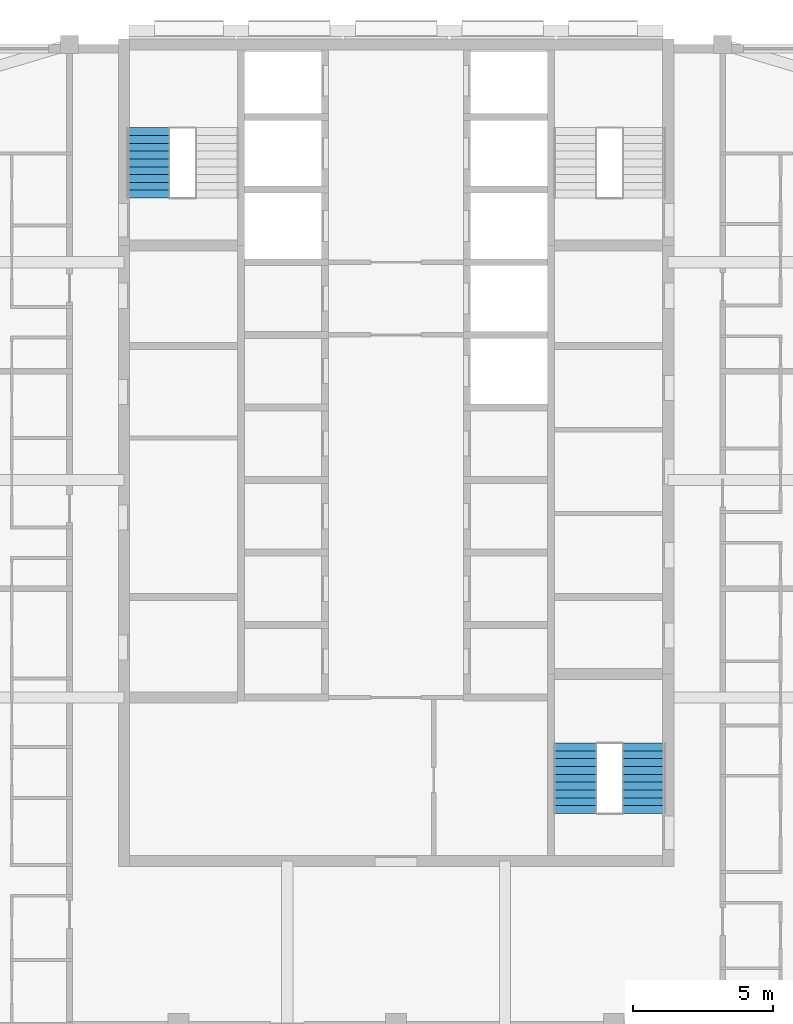
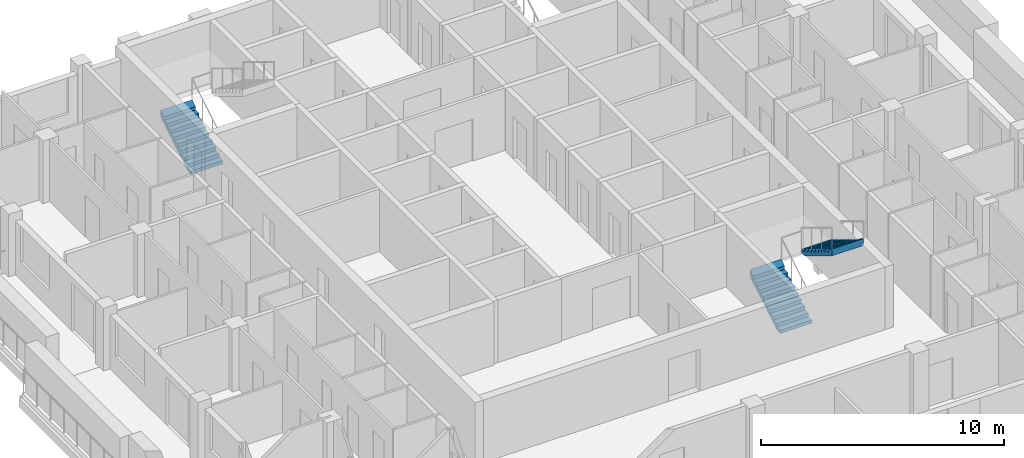
# One storey, part 10 of 13: 3 stair flights, 2 elements without a shape of their own.
"""IFC4 building model written with IfcOpenShell, lengths in metres."""

from ifc_helpers import new_model, si_unit, direction, frame, origin, place, context, subcontext, project, spatial, triangles, material, type_object, element, aggregate, save


model = new_model("IFC4")

# Units and contexts
model_context = context("Model", 3, precision=1e-05, world=origin(), true_north=direction((0.0, 1.0)))
body_context = subcontext(model_context, "Body", "Model", "MODEL_VIEW")
ifc_project = project(units=[si_unit("LENGTHUNIT", "METRE"), si_unit("AREAUNIT", "SQUARE_METRE"), si_unit("VOLUMEUNIT", "CUBIC_METRE"), si_unit("PLANEANGLEUNIT", "RADIAN"), si_unit("MASSUNIT", "GRAM", prefix="KILO")], contexts=[model_context])

# Site, building, storey
site_placement = place(None, origin())
site = spatial("IfcSite", under=ifc_project, at=site_placement, CompositionType="ELEMENT")
building_placement = place(site_placement, origin())
building = spatial("IfcBuilding", under=site, at=building_placement, Name="Ludao Terraces", CompositionType="ELEMENT")
storey_placement = place(building_placement, frame((0.0, 0.0, 249.39990234375)))
storey = spatial("IfcBuildingStorey", under=building, at=storey_placement, Name="L68", CompositionType="ELEMENT", Elevation=249.39990234375)

# Stair, stair flight
ifc_material = material(Name="Concrete C40", Category="concrete")
stair_type = type_object("IfcStairType", Name="INT Stair", PredefinedType="HALF_TURN_STAIR", material=ifc_material)
stair_1_placement = place(storey_placement, origin())
stair_1 = element("IfcStair", 1, at=stair_1_placement, inside=storey, type_object=stair_type, Name="EXIT STAIR 1", PredefinedType="HALF_TURN_STAIR")
stair_flight_type = type_object("IfcStairFlightType", Name="INT Stair flight", PredefinedType="STRAIGHT", material=ifc_material)
stair_flight_1_placement = place(storey_placement, frame((76.125, 79.0, 0.0), z_axis=(0.0, 0.0, 1.0), x_axis=(0.0, 1.0, 0.0)))
stair_flight_1 = element("IfcStairFlight", 2, at=stair_flight_1_placement, type_object=stair_flight_type, Name="ST1 flight 1", NumberOfRisers=10, NumberOfTreads=9, PredefinedType="STRAIGHT", RiserHeight=0.17, TreadLength=0.28, context=body_context, shape_type="Tessellation", body=[
    triangles([(0.0, -0.75, 0.0), (0.0, -0.5, 0.0), (0.0, -0.25, 0.0), (0.0, 0.0, 0.0), (0.0, 0.25, 0.0), (0.0, 0.5, 0.0), (0.0, 0.75, 0.0), (0.0, -0.75, 0.169921875), (0.0, -0.5, 0.169921875), (0.0, -0.25, 0.169921875), (0.0, 0.0, 0.169921875), (0.0, 0.25, 0.169921875), (0.0, 0.5, 0.169921875), (0.0, 0.75, 0.169921875), (0.280029296875, -0.75, 0.169921875), (0.280029296875, -0.5, 0.169921875), (0.280029296875, -0.25, 0.169921875), (0.280029296875, 0.0, 0.169921875), (0.280029296875, 0.25, 0.169921875), (0.280029296875, 0.5, 0.169921875), (0.280029296875, 0.75, 0.169921875), (0.280029296875, -0.75, 0.340087890625), (0.280029296875, -0.5, 0.340087890625), (0.280029296875, -0.25, 0.340087890625), (0.280029296875, 0.0, 0.340087890625), (0.280029296875, 0.25, 0.340087890625), (0.280029296875, 0.5, 0.340087890625), (0.280029296875, 0.75, 0.340087890625), (0.56005859375, -0.75, 0.340087890625), (0.56005859375, -0.5, 0.340087890625), (0.56005859375, -0.25, 0.340087890625), (0.56005859375, 0.0, 0.340087890625), (0.56005859375, 0.25, 0.340087890625), (0.56005859375, 0.5, 0.340087890625), (0.56005859375, 0.75, 0.340087890625), (0.56005859375, -0.75, 0.510009765625), (0.56005859375, -0.5, 0.510009765625), (0.56005859375, -0.25, 0.510009765625), (0.56005859375, 0.0, 0.510009765625), (0.56005859375, 0.25, 0.510009765625), (0.56005859375, 0.5, 0.510009765625), (0.56005859375, 0.75, 0.510009765625), (0.840087890625, -0.75, 0.510009765625), (0.840087890625, -0.5, 0.510009765625), (0.840087890625, -0.25, 0.510009765625), (0.840087890625, 0.0, 0.510009765625), (0.840087890625, 0.25, 0.510009765625), (0.840087890625, 0.5, 0.510009765625), (0.840087890625, 0.75, 0.510009765625), (0.840087890625, -0.75, 0.679931640625), (0.840087890625, -0.5, 0.679931640625), (0.840087890625, -0.25, 0.679931640625), (0.840087890625, 0.0, 0.679931640625), (0.840087890625, 0.25, 0.679931640625), (0.840087890625, 0.5, 0.679931640625), (0.840087890625, 0.75, 0.679931640625), (1.1201171875, -0.75, 0.679931640625), (1.1201171875, -0.5, 0.679931640625), (1.1201171875, -0.25, 0.679931640625), (1.1201171875, 0.0, 0.679931640625), (1.1201171875, 0.25, 0.679931640625), (1.1201171875, 0.5, 0.679931640625), (1.1201171875, 0.75, 0.679931640625), (1.1201171875, -0.75, 0.85009765625), (1.1201171875, -0.5, 0.85009765625), (1.1201171875, -0.25, 0.85009765625), (1.1201171875, 0.0, 0.85009765625), (1.1201171875, 0.25, 0.85009765625), (1.1201171875, 0.5, 0.85009765625), (1.1201171875, 0.75, 0.85009765625), (1.39990234375, -0.75, 0.85009765625), (1.39990234375, -0.5, 0.85009765625), (1.39990234375, -0.25, 0.85009765625), (1.39990234375, 0.0, 0.85009765625), (1.39990234375, 0.25, 0.85009765625), (1.39990234375, 0.5, 0.85009765625), (1.39990234375, 0.75, 0.85009765625), (1.39990234375, -0.75, 1.02001953125), (1.39990234375, -0.5, 1.02001953125), (1.39990234375, -0.25, 1.02001953125), (1.39990234375, 0.0, 1.02001953125), (1.39990234375, 0.25, 1.02001953125), (1.39990234375, 0.5, 1.02001953125), (1.39990234375, 0.75, 1.02001953125), (1.679931640625, -0.75, 1.02001953125), (1.679931640625, -0.5, 1.02001953125), (1.679931640625, -0.25, 1.02001953125), (1.679931640625, 0.0, 1.02001953125), (1.679931640625, 0.25, 1.02001953125), (1.679931640625, 0.5, 1.02001953125), (1.679931640625, 0.75, 1.02001953125), (1.679931640625, -0.75, 1.18994140625), (1.679931640625, -0.5, 1.18994140625), (1.679931640625, -0.25, 1.18994140625), (1.679931640625, 0.0, 1.18994140625), (1.679931640625, 0.25, 1.18994140625), (1.679931640625, 0.5, 1.18994140625), (1.679931640625, 0.75, 1.18994140625), (1.9599609375, -0.75, 1.18994140625), (1.9599609375, -0.5, 1.18994140625), (1.9599609375, -0.25, 1.18994140625), (1.9599609375, 0.0, 1.18994140625), (1.9599609375, 0.25, 1.18994140625), (1.9599609375, 0.5, 1.18994140625), (1.9599609375, 0.75, 1.18994140625), (1.9599609375, -0.75, 1.360107421875), (1.9599609375, -0.5, 1.360107421875), (1.9599609375, -0.25, 1.360107421875), (1.9599609375, 0.0, 1.360107421875), (1.9599609375, 0.25, 1.360107421875), (1.9599609375, 0.5, 1.360107421875), (1.9599609375, 0.75, 1.360107421875), (2.239990234375, -0.75, 1.360107421875), (2.239990234375, -0.5, 1.360107421875), (2.239990234375, -0.25, 1.360107421875), (2.239990234375, 0.0, 1.360107421875), (2.239990234375, 0.25, 1.360107421875), (2.239990234375, 0.5, 1.360107421875), (2.239990234375, 0.75, 1.360107421875), (2.239990234375, -0.75, 1.530029296875), (2.239990234375, -0.5, 1.530029296875), (2.239990234375, -0.25, 1.530029296875), (2.239990234375, 0.0, 1.530029296875), (2.239990234375, 0.25, 1.530029296875), (2.239990234375, 0.5, 1.530029296875), (2.239990234375, 0.75, 1.530029296875), (2.52001953125, -0.75, 1.699951171875), (2.52001953125, -0.5, 1.699951171875), (2.52001953125, -0.25, 1.699951171875), (2.52001953125, 0.0, 1.699951171875), (2.52001953125, 0.25, 1.699951171875), (2.52001953125, 0.5, 1.699951171875), (2.52001953125, 0.75, 1.699951171875), (2.52001953125, -0.75, 1.354736328125), (2.52001953125, -0.5, 1.354736328125), (2.52001953125, -0.25, 1.354736328125), (2.52001953125, 0.0, 1.354736328125), (2.52001953125, 0.25, 1.354736328125), (2.52001953125, 0.5, 1.354736328125), (2.52001953125, 0.75, 1.354736328125), (0.288818359375, -0.75, 0.0), (0.288818359375, -0.5, 0.0), (0.288818359375, -0.25, 0.0), (0.288818359375, 0.0, 0.0), (0.288818359375, 0.25, 0.0), (0.288818359375, 0.5, 0.0), (0.288818359375, 0.75, 0.0)], [[1, 141, 134], [7, 140, 147], [134, 127, 120], [140, 126, 133], [134, 120, 113], [140, 119, 126], [134, 113, 106], [140, 112, 119], [134, 106, 99], [140, 105, 112], [99, 92, 85], [105, 91, 98], [134, 99, 85], [140, 91, 105], [85, 78, 71], [91, 77, 84], [134, 85, 71], [140, 77, 91], [71, 64, 57], [77, 63, 70], [134, 71, 57], [140, 63, 77], [57, 50, 43], [63, 49, 56], [134, 57, 43], [140, 49, 63], [43, 36, 29], [49, 35, 42], [134, 43, 29], [140, 35, 49], [29, 22, 15], [35, 21, 28], [134, 29, 15], [140, 21, 35], [1, 134, 15], [7, 21, 140], [15, 8, 1], [21, 7, 14], [1, 9, 2], [1, 8, 9], [2, 10, 3], [2, 9, 10], [3, 11, 4], [3, 10, 11], [4, 12, 5], [4, 11, 12], [5, 13, 6], [5, 12, 13], [6, 14, 7], [6, 13, 14], [8, 16, 9], [8, 15, 16], [9, 17, 10], [9, 16, 17], [10, 18, 11], [10, 17, 18], [11, 19, 12], [11, 18, 19], [12, 20, 13], [12, 19, 20], [13, 21, 14], [13, 20, 21], [15, 23, 16], [15, 22, 23], [16, 24, 17], [16, 23, 24], [17, 25, 18], [17, 24, 25], [18, 26, 19], [18, 25, 26], [19, 27, 20], [19, 26, 27], [20, 28, 21], [20, 27, 28], [22, 30, 23], [22, 29, 30], [23, 31, 24], [23, 30, 31], [24, 32, 25], [24, 31, 32], [25, 33, 26], [25, 32, 33], [26, 34, 27], [26, 33, 34], [27, 35, 28], [27, 34, 35], [29, 37, 30], [29, 36, 37], [30, 38, 31], [30, 37, 38], [31, 39, 32], [31, 38, 39], [32, 40, 33], [32, 39, 40], [33, 41, 34], [33, 40, 41], [34, 42, 35], [34, 41, 42], [36, 44, 37], [36, 43, 44], [37, 45, 38], [37, 44, 45], [38, 46, 39], [38, 45, 46], [39, 47, 40], [39, 46, 47], [40, 48, 41], [40, 47, 48], [41, 49, 42], [41, 48, 49], [43, 51, 44], [43, 50, 51], [44, 52, 45], [44, 51, 52], [45, 53, 46], [45, 52, 53], [46, 54, 47], [46, 53, 54], [47, 55, 48], [47, 54, 55], [48, 56, 49], [48, 55, 56], [50, 58, 51], [50, 57, 58], [51, 59, 52], [51, 58, 59], [52, 60, 53], [52, 59, 60], [53, 61, 54], [53, 60, 61], [54, 62, 55], [54, 61, 62], [55, 63, 56], [55, 62, 63], [57, 65, 58], [57, 64, 65], [58, 66, 59], [58, 65, 66], [59, 67, 60], [59, 66, 67], [60, 68, 61], [60, 67, 68], [61, 69, 62], [61, 68, 69], [62, 70, 63], [62, 69, 70], [64, 72, 65], [64, 71, 72], [65, 73, 66], [65, 72, 73], [66, 74, 67], [66, 73, 74], [67, 75, 68], [67, 74, 75], [68, 76, 69], [68, 75, 76], [69, 77, 70], [69, 76, 77], [71, 79, 72], [71, 78, 79], [72, 80, 73], [72, 79, 80], [73, 81, 74], [73, 80, 81], [74, 82, 75], [74, 81, 82], [75, 83, 76], [75, 82, 83], [76, 84, 77], [76, 83, 84], [78, 86, 79], [78, 85, 86], [79, 87, 80], [79, 86, 87], [80, 88, 81], [80, 87, 88], [81, 89, 82], [81, 88, 89], [82, 90, 83], [82, 89, 90], [83, 91, 84], [83, 90, 91], [85, 93, 86], [85, 92, 93], [86, 94, 87], [86, 93, 94], [87, 95, 88], [87, 94, 95], [88, 96, 89], [88, 95, 96], [89, 97, 90], [89, 96, 97], [90, 98, 91], [90, 97, 98], [92, 100, 93], [92, 99, 100], [93, 101, 94], [93, 100, 101], [94, 102, 95], [94, 101, 102], [95, 103, 96], [95, 102, 103], [96, 104, 97], [96, 103, 104], [97, 105, 98], [97, 104, 105], [99, 107, 100], [99, 106, 107], [100, 108, 101], [100, 107, 108], [101, 109, 102], [101, 108, 109], [102, 110, 103], [102, 109, 110], [103, 111, 104], [103, 110, 111], [104, 112, 105], [104, 111, 112], [106, 114, 107], [106, 113, 114], [107, 115, 108], [107, 114, 115], [108, 116, 109], [108, 115, 116], [109, 117, 110], [109, 116, 117], [110, 118, 111], [110, 117, 118], [111, 119, 112], [111, 118, 119], [113, 121, 114], [113, 120, 121], [114, 122, 115], [114, 121, 122], [115, 123, 116], [115, 122, 123], [116, 124, 117], [116, 123, 124], [117, 125, 118], [117, 124, 125], [118, 126, 119], [118, 125, 126], [120, 128, 121], [120, 127, 128], [121, 129, 122], [121, 128, 129], [122, 130, 123], [122, 129, 130], [123, 131, 124], [123, 130, 131], [124, 132, 125], [124, 131, 132], [125, 133, 126], [125, 132, 133], [127, 135, 128], [127, 134, 135], [128, 136, 129], [128, 135, 136], [129, 137, 130], [129, 136, 137], [130, 138, 131], [130, 137, 138], [131, 139, 132], [131, 138, 139], [132, 140, 133], [132, 139, 140], [134, 142, 135], [134, 141, 142], [135, 143, 136], [135, 142, 143], [136, 144, 137], [136, 143, 144], [137, 145, 138], [137, 144, 145], [138, 146, 139], [138, 145, 146], [139, 147, 140], [139, 146, 147], [141, 2, 142], [141, 1, 2], [142, 3, 143], [142, 2, 3], [143, 4, 144], [143, 3, 4], [144, 5, 145], [144, 4, 5], [145, 6, 146], [145, 5, 6], [146, 7, 147], [146, 6, 7]], closed=True),
])
aggregate(stair_1, [stair_flight_1])

# Stair, stair flights
stair_2_placement = place(storey_placement, origin())
stair_2 = element("IfcStair", 3, at=stair_2_placement, inside=storey, type_object=stair_type, Name="EXIT STAIR 3", PredefinedType="HALF_TURN_STAIR")
stair_flight_2_placement = place(storey_placement, frame((91.425048828125, 56.949951171875, 0.0), z_axis=(0.0, 0.0, 1.0), x_axis=(0.0, 1.0, 0.0)))
stair_flight_2 = element("IfcStairFlight", 4, at=stair_flight_2_placement, type_object=stair_flight_type, Name="ST3 flight 1", NumberOfRisers=10, NumberOfTreads=9, PredefinedType="STRAIGHT", RiserHeight=0.17, TreadLength=0.28, context=body_context, shape_type="Tessellation", body=[
    triangles([(0.0, -0.75, 0.0), (0.0, -0.5, 0.0), (0.0, -0.25, 0.0), (0.0, 0.0, 0.0), (0.0, 0.25, 0.0), (0.0, 0.5, 0.0), (0.0, 0.75, 0.0), (0.0, -0.75, 0.169921875), (0.0, -0.5, 0.169921875), (0.0, -0.25, 0.169921875), (0.0, 0.0, 0.169921875), (0.0, 0.25, 0.169921875), (0.0, 0.5, 0.169921875), (0.0, 0.75, 0.169921875), (0.280029296875, -0.75, 0.169921875), (0.280029296875, -0.5, 0.169921875), (0.280029296875, -0.25, 0.169921875), (0.280029296875, 0.0, 0.169921875), (0.280029296875, 0.25, 0.169921875), (0.280029296875, 0.5, 0.169921875), (0.280029296875, 0.75, 0.169921875), (0.280029296875, -0.75, 0.340087890625), (0.280029296875, -0.5, 0.340087890625), (0.280029296875, -0.25, 0.340087890625), (0.280029296875, 0.0, 0.340087890625), (0.280029296875, 0.25, 0.340087890625), (0.280029296875, 0.5, 0.340087890625), (0.280029296875, 0.75, 0.340087890625), (0.56005859375, -0.75, 0.340087890625), (0.56005859375, -0.5, 0.340087890625), (0.56005859375, -0.25, 0.340087890625), (0.56005859375, 0.0, 0.340087890625), (0.56005859375, 0.25, 0.340087890625), (0.56005859375, 0.5, 0.340087890625), (0.56005859375, 0.75, 0.340087890625), (0.56005859375, -0.75, 0.510009765625), (0.56005859375, -0.5, 0.510009765625), (0.56005859375, -0.25, 0.510009765625), (0.56005859375, 0.0, 0.510009765625), (0.56005859375, 0.25, 0.510009765625), (0.56005859375, 0.5, 0.510009765625), (0.56005859375, 0.75, 0.510009765625), (0.840087890625, -0.75, 0.510009765625), (0.840087890625, -0.5, 0.510009765625), (0.840087890625, -0.25, 0.510009765625), (0.840087890625, 0.0, 0.510009765625), (0.840087890625, 0.25, 0.510009765625), (0.840087890625, 0.5, 0.510009765625), (0.840087890625, 0.75, 0.510009765625), (0.840087890625, -0.75, 0.679931640625), (0.840087890625, -0.5, 0.679931640625), (0.840087890625, -0.25, 0.679931640625), (0.840087890625, 0.0, 0.679931640625), (0.840087890625, 0.25, 0.679931640625), (0.840087890625, 0.5, 0.679931640625), (0.840087890625, 0.75, 0.679931640625), (1.1201171875, -0.75, 0.679931640625), (1.1201171875, -0.5, 0.679931640625), (1.1201171875, -0.25, 0.679931640625), (1.1201171875, 0.0, 0.679931640625), (1.1201171875, 0.25, 0.679931640625), (1.1201171875, 0.5, 0.679931640625), (1.1201171875, 0.75, 0.679931640625), (1.1201171875, -0.75, 0.85009765625), (1.1201171875, -0.5, 0.85009765625), (1.1201171875, -0.25, 0.85009765625), (1.1201171875, 0.0, 0.85009765625), (1.1201171875, 0.25, 0.85009765625), (1.1201171875, 0.5, 0.85009765625), (1.1201171875, 0.75, 0.85009765625), (1.39990234375, -0.75, 0.85009765625), (1.39990234375, -0.5, 0.85009765625), (1.39990234375, -0.25, 0.85009765625), (1.39990234375, 0.0, 0.85009765625), (1.39990234375, 0.25, 0.85009765625), (1.39990234375, 0.5, 0.85009765625), (1.39990234375, 0.75, 0.85009765625), (1.39990234375, -0.75, 1.02001953125), (1.39990234375, -0.5, 1.02001953125), (1.39990234375, -0.25, 1.02001953125), (1.39990234375, 0.0, 1.02001953125), (1.39990234375, 0.25, 1.02001953125), (1.39990234375, 0.5, 1.02001953125), (1.39990234375, 0.75, 1.02001953125), (1.679931640625, -0.75, 1.02001953125), (1.679931640625, -0.5, 1.02001953125), (1.679931640625, -0.25, 1.02001953125), (1.679931640625, 0.0, 1.02001953125), (1.679931640625, 0.25, 1.02001953125), (1.679931640625, 0.5, 1.02001953125), (1.679931640625, 0.75, 1.02001953125), (1.679931640625, -0.75, 1.18994140625), (1.679931640625, -0.5, 1.18994140625), (1.679931640625, -0.25, 1.18994140625), (1.679931640625, 0.0, 1.18994140625), (1.679931640625, 0.25, 1.18994140625), (1.679931640625, 0.5, 1.18994140625), (1.679931640625, 0.75, 1.18994140625), (1.9599609375, -0.75, 1.18994140625), (1.9599609375, -0.5, 1.18994140625), (1.9599609375, -0.25, 1.18994140625), (1.9599609375, 0.0, 1.18994140625), (1.9599609375, 0.25, 1.18994140625), (1.9599609375, 0.5, 1.18994140625), (1.9599609375, 0.75, 1.18994140625), (1.9599609375, -0.75, 1.360107421875), (1.9599609375, -0.5, 1.360107421875), (1.9599609375, -0.25, 1.360107421875), (1.9599609375, 0.0, 1.360107421875), (1.9599609375, 0.25, 1.360107421875), (1.9599609375, 0.5, 1.360107421875), (1.9599609375, 0.75, 1.360107421875), (2.239990234375, -0.75, 1.360107421875), (2.239990234375, -0.5, 1.360107421875), (2.239990234375, -0.25, 1.360107421875), (2.239990234375, 0.0, 1.360107421875), (2.239990234375, 0.25, 1.360107421875), (2.239990234375, 0.5, 1.360107421875), (2.239990234375, 0.75, 1.360107421875), (2.239990234375, -0.75, 1.530029296875), (2.239990234375, -0.5, 1.530029296875), (2.239990234375, -0.25, 1.530029296875), (2.239990234375, 0.0, 1.530029296875), (2.239990234375, 0.25, 1.530029296875), (2.239990234375, 0.5, 1.530029296875), (2.239990234375, 0.75, 1.530029296875), (2.52001953125, -0.75, 1.699951171875), (2.52001953125, -0.5, 1.699951171875), (2.52001953125, -0.25, 1.699951171875), (2.52001953125, 0.0, 1.699951171875), (2.52001953125, 0.25, 1.699951171875), (2.52001953125, 0.5, 1.699951171875), (2.52001953125, 0.75, 1.699951171875), (2.52001953125, -0.75, 1.354736328125), (2.52001953125, -0.5, 1.354736328125), (2.52001953125, -0.25, 1.354736328125), (2.52001953125, 0.0, 1.354736328125), (2.52001953125, 0.25, 1.354736328125), (2.52001953125, 0.5, 1.354736328125), (2.52001953125, 0.75, 1.354736328125), (0.288818359375, -0.75, 0.0), (0.288818359375, -0.5, 0.0), (0.288818359375, -0.25, 0.0), (0.288818359375, 0.0, 0.0), (0.288818359375, 0.25, 0.0), (0.288818359375, 0.5, 0.0), (0.288818359375, 0.75, 0.0)], [[1, 141, 134], [7, 140, 147], [134, 127, 120], [140, 126, 133], [134, 120, 113], [140, 119, 126], [134, 113, 106], [140, 112, 119], [134, 106, 99], [140, 105, 112], [99, 92, 85], [105, 91, 98], [134, 99, 85], [140, 91, 105], [85, 78, 71], [91, 77, 84], [134, 85, 71], [140, 77, 91], [71, 64, 57], [77, 63, 70], [134, 71, 57], [140, 63, 77], [57, 50, 43], [63, 49, 56], [134, 57, 43], [140, 49, 63], [43, 36, 29], [49, 35, 42], [134, 43, 29], [140, 35, 49], [29, 22, 15], [35, 21, 28], [134, 29, 15], [140, 21, 35], [1, 134, 15], [7, 21, 140], [15, 8, 1], [21, 7, 14], [1, 9, 2], [1, 8, 9], [2, 10, 3], [2, 9, 10], [3, 11, 4], [3, 10, 11], [4, 12, 5], [4, 11, 12], [5, 13, 6], [5, 12, 13], [6, 14, 7], [6, 13, 14], [8, 16, 9], [8, 15, 16], [9, 17, 10], [9, 16, 17], [10, 18, 11], [10, 17, 18], [11, 19, 12], [11, 18, 19], [12, 20, 13], [12, 19, 20], [13, 21, 14], [13, 20, 21], [15, 23, 16], [15, 22, 23], [16, 24, 17], [16, 23, 24], [17, 25, 18], [17, 24, 25], [18, 26, 19], [18, 25, 26], [19, 27, 20], [19, 26, 27], [20, 28, 21], [20, 27, 28], [22, 30, 23], [22, 29, 30], [23, 31, 24], [23, 30, 31], [24, 32, 25], [24, 31, 32], [25, 33, 26], [25, 32, 33], [26, 34, 27], [26, 33, 34], [27, 35, 28], [27, 34, 35], [29, 37, 30], [29, 36, 37], [30, 38, 31], [30, 37, 38], [31, 39, 32], [31, 38, 39], [32, 40, 33], [32, 39, 40], [33, 41, 34], [33, 40, 41], [34, 42, 35], [34, 41, 42], [36, 44, 37], [36, 43, 44], [37, 45, 38], [37, 44, 45], [38, 46, 39], [38, 45, 46], [39, 47, 40], [39, 46, 47], [40, 48, 41], [40, 47, 48], [41, 49, 42], [41, 48, 49], [43, 51, 44], [43, 50, 51], [44, 52, 45], [44, 51, 52], [45, 53, 46], [45, 52, 53], [46, 54, 47], [46, 53, 54], [47, 55, 48], [47, 54, 55], [48, 56, 49], [48, 55, 56], [50, 58, 51], [50, 57, 58], [51, 59, 52], [51, 58, 59], [52, 60, 53], [52, 59, 60], [53, 61, 54], [53, 60, 61], [54, 62, 55], [54, 61, 62], [55, 63, 56], [55, 62, 63], [57, 65, 58], [57, 64, 65], [58, 66, 59], [58, 65, 66], [59, 67, 60], [59, 66, 67], [60, 68, 61], [60, 67, 68], [61, 69, 62], [61, 68, 69], [62, 70, 63], [62, 69, 70], [64, 72, 65], [64, 71, 72], [65, 73, 66], [65, 72, 73], [66, 74, 67], [66, 73, 74], [67, 75, 68], [67, 74, 75], [68, 76, 69], [68, 75, 76], [69, 77, 70], [69, 76, 77], [71, 79, 72], [71, 78, 79], [72, 80, 73], [72, 79, 80], [73, 81, 74], [73, 80, 81], [74, 82, 75], [74, 81, 82], [75, 83, 76], [75, 82, 83], [76, 84, 77], [76, 83, 84], [78, 86, 79], [78, 85, 86], [79, 87, 80], [79, 86, 87], [80, 88, 81], [80, 87, 88], [81, 89, 82], [81, 88, 89], [82, 90, 83], [82, 89, 90], [83, 91, 84], [83, 90, 91], [85, 93, 86], [85, 92, 93], [86, 94, 87], [86, 93, 94], [87, 95, 88], [87, 94, 95], [88, 96, 89], [88, 95, 96], [89, 97, 90], [89, 96, 97], [90, 98, 91], [90, 97, 98], [92, 100, 93], [92, 99, 100], [93, 101, 94], [93, 100, 101], [94, 102, 95], [94, 101, 102], [95, 103, 96], [95, 102, 103], [96, 104, 97], [96, 103, 104], [97, 105, 98], [97, 104, 105], [99, 107, 100], [99, 106, 107], [100, 108, 101], [100, 107, 108], [101, 109, 102], [101, 108, 109], [102, 110, 103], [102, 109, 110], [103, 111, 104], [103, 110, 111], [104, 112, 105], [104, 111, 112], [106, 114, 107], [106, 113, 114], [107, 115, 108], [107, 114, 115], [108, 116, 109], [108, 115, 116], [109, 117, 110], [109, 116, 117], [110, 118, 111], [110, 117, 118], [111, 119, 112], [111, 118, 119], [113, 121, 114], [113, 120, 121], [114, 122, 115], [114, 121, 122], [115, 123, 116], [115, 122, 123], [116, 124, 117], [116, 123, 124], [117, 125, 118], [117, 124, 125], [118, 126, 119], [118, 125, 126], [120, 128, 121], [120, 127, 128], [121, 129, 122], [121, 128, 129], [122, 130, 123], [122, 129, 130], [123, 131, 124], [123, 130, 131], [124, 132, 125], [124, 131, 132], [125, 133, 126], [125, 132, 133], [127, 135, 128], [127, 134, 135], [128, 136, 129], [128, 135, 136], [129, 137, 130], [129, 136, 137], [130, 138, 131], [130, 137, 138], [131, 139, 132], [131, 138, 139], [132, 140, 133], [132, 139, 140], [134, 142, 135], [134, 141, 142], [135, 143, 136], [135, 142, 143], [136, 144, 137], [136, 143, 144], [137, 145, 138], [137, 144, 145], [138, 146, 139], [138, 145, 146], [139, 147, 140], [139, 146, 147], [141, 2, 142], [141, 1, 2], [142, 3, 143], [142, 2, 3], [143, 4, 144], [143, 3, 4], [144, 5, 145], [144, 4, 5], [145, 6, 146], [145, 5, 6], [146, 7, 147], [146, 6, 7]], closed=True),
])
stair_flight_3_placement = place(storey_placement, frame((93.875, 59.469970703125, 1.7001953125), z_axis=(0.0, 0.0, 1.0), x_axis=(0.0, -1.0, 0.0)))
stair_flight_3 = element("IfcStairFlight", 5, at=stair_flight_3_placement, type_object=stair_flight_type, Name="ST3 flight 2", NumberOfRisers=10, NumberOfTreads=9, PredefinedType="STRAIGHT", RiserHeight=0.17, TreadLength=0.28, context=body_context, shape_type="Tessellation", body=[
    triangles([(0.0, -0.75, 0.0), (0.0, -0.5, 0.0), (0.0, -0.25, 0.0), (0.0, 0.0, 0.0), (0.0, 0.25, 0.0), (0.0, 0.5, 0.0), (0.0, 0.75, 0.0), (0.0, -0.75, 0.169921875), (0.0, -0.5, 0.169921875), (0.0, -0.25, 0.169921875), (0.0, 0.0, 0.169921875), (0.0, 0.25, 0.169921875), (0.0, 0.5, 0.169921875), (0.0, 0.75, 0.169921875), (0.280029296875, -0.75, 0.169921875), (0.280029296875, -0.5, 0.169921875), (0.280029296875, -0.25, 0.169921875), (0.280029296875, 0.0, 0.169921875), (0.280029296875, 0.25, 0.169921875), (0.280029296875, 0.5, 0.169921875), (0.280029296875, 0.75, 0.169921875), (0.280029296875, -0.75, 0.340087890625), (0.280029296875, -0.5, 0.340087890625), (0.280029296875, -0.25, 0.340087890625), (0.280029296875, 0.0, 0.340087890625), (0.280029296875, 0.25, 0.340087890625), (0.280029296875, 0.5, 0.340087890625), (0.280029296875, 0.75, 0.340087890625), (0.56005859375, -0.75, 0.340087890625), (0.56005859375, -0.5, 0.340087890625), (0.56005859375, -0.25, 0.340087890625), (0.56005859375, 0.0, 0.340087890625), (0.56005859375, 0.25, 0.340087890625), (0.56005859375, 0.5, 0.340087890625), (0.56005859375, 0.75, 0.340087890625), (0.56005859375, -0.75, 0.510009765625), (0.56005859375, -0.5, 0.510009765625), (0.56005859375, -0.25, 0.510009765625), (0.56005859375, 0.0, 0.510009765625), (0.56005859375, 0.25, 0.510009765625), (0.56005859375, 0.5, 0.510009765625), (0.56005859375, 0.75, 0.510009765625), (0.840087890625, -0.75, 0.510009765625), (0.840087890625, -0.5, 0.510009765625), (0.840087890625, -0.25, 0.510009765625), (0.840087890625, 0.0, 0.510009765625), (0.840087890625, 0.25, 0.510009765625), (0.840087890625, 0.5, 0.510009765625), (0.840087890625, 0.75, 0.510009765625), (0.840087890625, -0.75, 0.679931640625), (0.840087890625, -0.5, 0.679931640625), (0.840087890625, -0.25, 0.679931640625), (0.840087890625, 0.0, 0.679931640625), (0.840087890625, 0.25, 0.679931640625), (0.840087890625, 0.5, 0.679931640625), (0.840087890625, 0.75, 0.679931640625), (1.1201171875, -0.75, 0.679931640625), (1.1201171875, -0.5, 0.679931640625), (1.1201171875, -0.25, 0.679931640625), (1.1201171875, 0.0, 0.679931640625), (1.1201171875, 0.25, 0.679931640625), (1.1201171875, 0.5, 0.679931640625), (1.1201171875, 0.75, 0.679931640625), (1.1201171875, -0.75, 0.85009765625), (1.1201171875, -0.5, 0.85009765625), (1.1201171875, -0.25, 0.85009765625), (1.1201171875, 0.0, 0.85009765625), (1.1201171875, 0.25, 0.85009765625), (1.1201171875, 0.5, 0.85009765625), (1.1201171875, 0.75, 0.85009765625), (1.39990234375, -0.75, 0.85009765625), (1.39990234375, -0.5, 0.85009765625), (1.39990234375, -0.25, 0.85009765625), (1.39990234375, 0.0, 0.85009765625), (1.39990234375, 0.25, 0.85009765625), (1.39990234375, 0.5, 0.85009765625), (1.39990234375, 0.75, 0.85009765625), (1.39990234375, -0.75, 1.02001953125), (1.39990234375, -0.5, 1.02001953125), (1.39990234375, -0.25, 1.02001953125), (1.39990234375, 0.0, 1.02001953125), (1.39990234375, 0.25, 1.02001953125), (1.39990234375, 0.5, 1.02001953125), (1.39990234375, 0.75, 1.02001953125), (1.679931640625, -0.75, 1.02001953125), (1.679931640625, -0.5, 1.02001953125), (1.679931640625, -0.25, 1.02001953125), (1.679931640625, 0.0, 1.02001953125), (1.679931640625, 0.25, 1.02001953125), (1.679931640625, 0.5, 1.02001953125), (1.679931640625, 0.75, 1.02001953125), (1.679931640625, -0.75, 1.18994140625), (1.679931640625, -0.5, 1.18994140625), (1.679931640625, -0.25, 1.18994140625), (1.679931640625, 0.0, 1.18994140625), (1.679931640625, 0.25, 1.18994140625), (1.679931640625, 0.5, 1.18994140625), (1.679931640625, 0.75, 1.18994140625), (1.9599609375, -0.75, 1.18994140625), (1.9599609375, -0.5, 1.18994140625), (1.9599609375, -0.25, 1.18994140625), (1.9599609375, 0.0, 1.18994140625), (1.9599609375, 0.25, 1.18994140625), (1.9599609375, 0.5, 1.18994140625), (1.9599609375, 0.75, 1.18994140625), (1.9599609375, -0.75, 1.360107421875), (1.9599609375, -0.5, 1.360107421875), (1.9599609375, -0.25, 1.360107421875), (1.9599609375, 0.0, 1.360107421875), (1.9599609375, 0.25, 1.360107421875), (1.9599609375, 0.5, 1.360107421875), (1.9599609375, 0.75, 1.360107421875), (2.239990234375, -0.75, 1.360107421875), (2.239990234375, -0.5, 1.360107421875), (2.239990234375, -0.25, 1.360107421875), (2.239990234375, 0.0, 1.360107421875), (2.239990234375, 0.25, 1.360107421875), (2.239990234375, 0.5, 1.360107421875), (2.239990234375, 0.75, 1.360107421875), (2.239990234375, -0.75, 1.530029296875), (2.239990234375, -0.5, 1.530029296875), (2.239990234375, -0.25, 1.530029296875), (2.239990234375, 0.0, 1.530029296875), (2.239990234375, 0.25, 1.530029296875), (2.239990234375, 0.5, 1.530029296875), (2.239990234375, 0.75, 1.530029296875), (2.52001953125, -0.75, 1.699951171875), (2.52001953125, -0.5, 1.699951171875), (2.52001953125, -0.25, 1.699951171875), (2.52001953125, 0.0, 1.699951171875), (2.52001953125, 0.25, 1.699951171875), (2.52001953125, 0.5, 1.699951171875), (2.52001953125, 0.75, 1.699951171875), (2.52001953125, -0.75, 1.354736328125), (2.52001953125, -0.5, 1.354736328125), (2.52001953125, -0.25, 1.354736328125), (2.52001953125, 0.0, 1.354736328125), (2.52001953125, 0.25, 1.354736328125), (2.52001953125, 0.5, 1.354736328125), (2.52001953125, 0.75, 1.354736328125), (0.288818359375, -0.75, 0.0), (0.288818359375, -0.5, 0.0), (0.288818359375, -0.25, 0.0), (0.288818359375, 0.0, 0.0), (0.288818359375, 0.25, 0.0), (0.288818359375, 0.5, 0.0), (0.288818359375, 0.75, 0.0)], [[1, 141, 134], [7, 140, 147], [134, 127, 120], [140, 126, 133], [134, 120, 113], [140, 119, 126], [134, 113, 106], [140, 112, 119], [134, 106, 99], [140, 105, 112], [99, 92, 85], [105, 91, 98], [134, 99, 85], [140, 91, 105], [85, 78, 71], [91, 77, 84], [134, 85, 71], [140, 77, 91], [71, 64, 57], [77, 63, 70], [134, 71, 57], [140, 63, 77], [57, 50, 43], [63, 49, 56], [134, 57, 43], [140, 49, 63], [43, 36, 29], [49, 35, 42], [134, 43, 29], [140, 35, 49], [29, 22, 15], [35, 21, 28], [134, 29, 15], [140, 21, 35], [1, 134, 15], [7, 21, 140], [15, 8, 1], [21, 7, 14], [1, 9, 2], [1, 8, 9], [2, 10, 3], [2, 9, 10], [3, 11, 4], [3, 10, 11], [4, 12, 5], [4, 11, 12], [5, 13, 6], [5, 12, 13], [6, 14, 7], [6, 13, 14], [8, 16, 9], [8, 15, 16], [9, 17, 10], [9, 16, 17], [10, 18, 11], [10, 17, 18], [11, 19, 12], [11, 18, 19], [12, 20, 13], [12, 19, 20], [13, 21, 14], [13, 20, 21], [15, 23, 16], [15, 22, 23], [16, 24, 17], [16, 23, 24], [17, 25, 18], [17, 24, 25], [18, 26, 19], [18, 25, 26], [19, 27, 20], [19, 26, 27], [20, 28, 21], [20, 27, 28], [22, 30, 23], [22, 29, 30], [23, 31, 24], [23, 30, 31], [24, 32, 25], [24, 31, 32], [25, 33, 26], [25, 32, 33], [26, 34, 27], [26, 33, 34], [27, 35, 28], [27, 34, 35], [29, 37, 30], [29, 36, 37], [30, 38, 31], [30, 37, 38], [31, 39, 32], [31, 38, 39], [32, 40, 33], [32, 39, 40], [33, 41, 34], [33, 40, 41], [34, 42, 35], [34, 41, 42], [36, 44, 37], [36, 43, 44], [37, 45, 38], [37, 44, 45], [38, 46, 39], [38, 45, 46], [39, 47, 40], [39, 46, 47], [40, 48, 41], [40, 47, 48], [41, 49, 42], [41, 48, 49], [43, 51, 44], [43, 50, 51], [44, 52, 45], [44, 51, 52], [45, 53, 46], [45, 52, 53], [46, 54, 47], [46, 53, 54], [47, 55, 48], [47, 54, 55], [48, 56, 49], [48, 55, 56], [50, 58, 51], [50, 57, 58], [51, 59, 52], [51, 58, 59], [52, 60, 53], [52, 59, 60], [53, 61, 54], [53, 60, 61], [54, 62, 55], [54, 61, 62], [55, 63, 56], [55, 62, 63], [57, 65, 58], [57, 64, 65], [58, 66, 59], [58, 65, 66], [59, 67, 60], [59, 66, 67], [60, 68, 61], [60, 67, 68], [61, 69, 62], [61, 68, 69], [62, 70, 63], [62, 69, 70], [64, 72, 65], [64, 71, 72], [65, 73, 66], [65, 72, 73], [66, 74, 67], [66, 73, 74], [67, 75, 68], [67, 74, 75], [68, 76, 69], [68, 75, 76], [69, 77, 70], [69, 76, 77], [71, 79, 72], [71, 78, 79], [72, 80, 73], [72, 79, 80], [73, 81, 74], [73, 80, 81], [74, 82, 75], [74, 81, 82], [75, 83, 76], [75, 82, 83], [76, 84, 77], [76, 83, 84], [78, 86, 79], [78, 85, 86], [79, 87, 80], [79, 86, 87], [80, 88, 81], [80, 87, 88], [81, 89, 82], [81, 88, 89], [82, 90, 83], [82, 89, 90], [83, 91, 84], [83, 90, 91], [85, 93, 86], [85, 92, 93], [86, 94, 87], [86, 93, 94], [87, 95, 88], [87, 94, 95], [88, 96, 89], [88, 95, 96], [89, 97, 90], [89, 96, 97], [90, 98, 91], [90, 97, 98], [92, 100, 93], [92, 99, 100], [93, 101, 94], [93, 100, 101], [94, 102, 95], [94, 101, 102], [95, 103, 96], [95, 102, 103], [96, 104, 97], [96, 103, 104], [97, 105, 98], [97, 104, 105], [99, 107, 100], [99, 106, 107], [100, 108, 101], [100, 107, 108], [101, 109, 102], [101, 108, 109], [102, 110, 103], [102, 109, 110], [103, 111, 104], [103, 110, 111], [104, 112, 105], [104, 111, 112], [106, 114, 107], [106, 113, 114], [107, 115, 108], [107, 114, 115], [108, 116, 109], [108, 115, 116], [109, 117, 110], [109, 116, 117], [110, 118, 111], [110, 117, 118], [111, 119, 112], [111, 118, 119], [113, 121, 114], [113, 120, 121], [114, 122, 115], [114, 121, 122], [115, 123, 116], [115, 122, 123], [116, 124, 117], [116, 123, 124], [117, 125, 118], [117, 124, 125], [118, 126, 119], [118, 125, 126], [120, 128, 121], [120, 127, 128], [121, 129, 122], [121, 128, 129], [122, 130, 123], [122, 129, 130], [123, 131, 124], [123, 130, 131], [124, 132, 125], [124, 131, 132], [125, 133, 126], [125, 132, 133], [127, 135, 128], [127, 134, 135], [128, 136, 129], [128, 135, 136], [129, 137, 130], [129, 136, 137], [130, 138, 131], [130, 137, 138], [131, 139, 132], [131, 138, 139], [132, 140, 133], [132, 139, 140], [134, 142, 135], [134, 141, 142], [135, 143, 136], [135, 142, 143], [136, 144, 137], [136, 143, 144], [137, 145, 138], [137, 144, 145], [138, 146, 139], [138, 145, 146], [139, 147, 140], [139, 146, 147], [141, 2, 142], [141, 1, 2], [142, 3, 143], [142, 2, 3], [143, 4, 144], [143, 3, 4], [144, 5, 145], [144, 4, 5], [145, 6, 146], [145, 5, 6], [146, 7, 147], [146, 6, 7]], closed=True),
])
aggregate(stair_2, [stair_flight_2, stair_flight_3])

save(model, "model.ifc")
